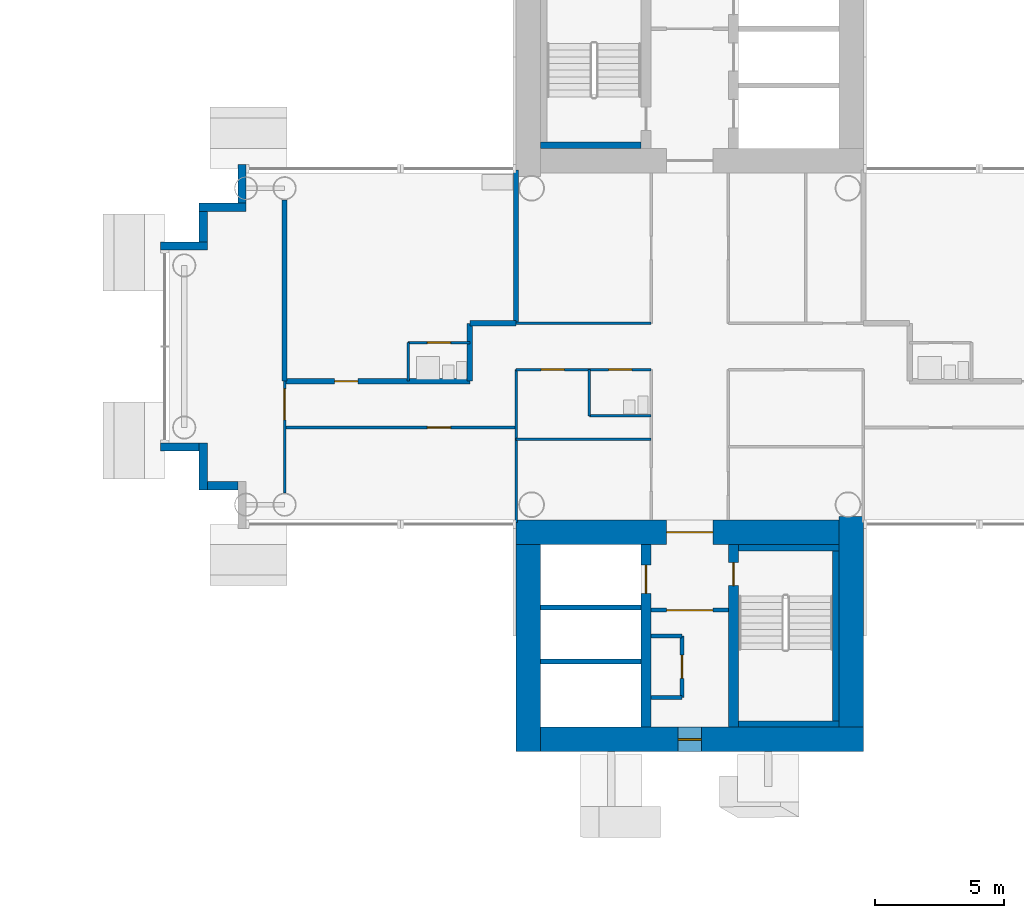
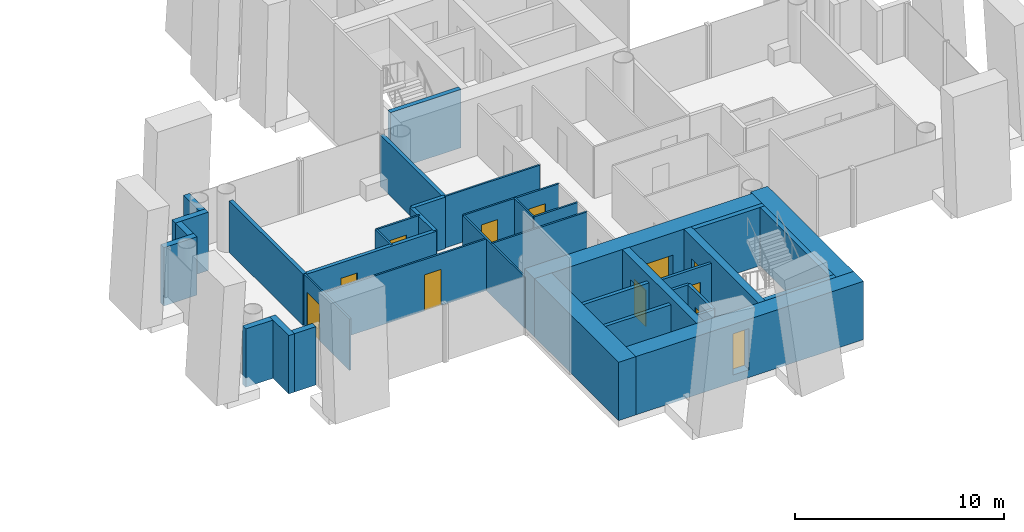
# One storey, part 11 of 21: 38 walls, 11 doors, 1 window, 12 openings.
"""IFC4 building model written with IfcOpenShell, lengths in metres."""

import ifcopenshell
import ifcopenshell.guid

model = None  # the IFC model being written
_history = None  # IfcOwnerHistory: only IFC2X3 demands one
_inside = {}  # id of a spatial element -> (the spatial element, [elements in it])
_under = {}  # id of a project, library or spatial element -> (it, [spatial elements below it])
_declared = {}  # id of a project -> (the project, [libraries it declares])
_typed = {}  # id of a type object -> (the type object, [elements of that type])
_made_of = {}  # id of a material, layer set ... -> (it, [elements and type objects made of it])


def new_model(schema):
    """Start an empty IFC model of exactly this schema.

    Asked for "IFC4X3", IfcOpenShell would pick the latest addendum, in which some entities
    have other attributes; the version numbers below select the first issue.
    IFC2X3 requires an IfcOwnerHistory on every rooted entity: one is made here for all.
    """
    global model, _history
    if schema == "IFC4X3":
        model = ifcopenshell.file(schema_version=(4, 3, 0, 0))
    else:
        model = ifcopenshell.file(schema=schema)
    _inside.clear()
    _under.clear()
    _declared.clear()
    _typed.clear()
    _made_of.clear()
    _history = None
    if model.schema == "IFC2X3":
        org = make("IfcOrganization", Name="unknown")
        user = make(
            "IfcPersonAndOrganization",
            ThePerson=make("IfcPerson", FamilyName="unknown"),
            TheOrganization=org,
        )
        app = make(
            "IfcApplication",
            ApplicationDeveloper=org,
            Version="unknown",
            ApplicationFullName="unknown",
            ApplicationIdentifier="unknown",
        )
        _history = make(
            "IfcOwnerHistory",
            OwningUser=user,
            OwningApplication=app,
            ChangeAction="ADDED",
            CreationDate=0,
        )
    return model


def make(cls, **values):
    """One entity of the class cls with the attributes given. An attribute that is None is left unset."""
    return model.create_entity(
        cls, **{name: value for name, value in values.items() if value is not None}
    )


def rooted(cls, **values):
    """An entity with a GlobalId (a new one), such as an element, a storey or a relation."""
    return make(cls, GlobalId=ifcopenshell.guid.new(), OwnerHistory=_history, **values)


def si_unit(unit_type, name, prefix=None):
    """IfcSIUnit, for example si_unit("LENGTHUNIT", "METRE", prefix="MILLI")."""
    return make("IfcSIUnit", UnitType=unit_type, Prefix=prefix, Name=name)


def assignment(units):
    """IfcUnitAssignment: the units of a project."""
    return None if units is None else make("IfcUnitAssignment", Units=units)


def point(xyz):
    """IfcCartesianPoint."""
    return None if xyz is None else make("IfcCartesianPoint", Coordinates=xyz)


def direction(xyz):
    """IfcDirection."""
    return None if xyz is None else make("IfcDirection", DirectionRatios=xyz)


def frame(location, z_axis=None, x_axis=None):
    """IfcAxis2Placement3D, a coordinate frame: its origin and axes. An axis left out is left unset."""
    return make(
        "IfcAxis2Placement3D",
        Location=point(location),
        Axis=direction(z_axis),
        RefDirection=direction(x_axis),
    )


def frame_2d(location, x_axis=None):
    """IfcAxis2Placement2D, a coordinate frame in the plane: its origin and x axis."""
    return make(
        "IfcAxis2Placement2D", Location=point(location), RefDirection=direction(x_axis)
    )


def origin():
    """The frame at (0, 0, 0) with its axes left unset."""
    return frame((0.0, 0.0, 0.0))


def place(relative_to, where):
    """IfcLocalPlacement: puts the frame where relative to a parent placement (None: the world)."""
    return make(
        "IfcLocalPlacement", PlacementRelTo=relative_to, RelativePlacement=where
    )


def context(
    kind, dimensions, precision=None, world=None, true_north=None, identifier=None
):
    """IfcGeometricRepresentationContext, for example the 3D "Model" context."""
    return make(
        "IfcGeometricRepresentationContext",
        ContextIdentifier=identifier,
        ContextType=kind,
        CoordinateSpaceDimension=dimensions,
        Precision=precision,
        WorldCoordinateSystem=world,
        TrueNorth=true_north,
    )


def subcontext(parent, identifier, kind, view, scale=None):
    """IfcGeometricRepresentationSubContext, for example "Body" below "Model"."""
    return make(
        "IfcGeometricRepresentationSubContext",
        ContextIdentifier=identifier,
        ContextType=kind,
        ParentContext=parent,
        TargetScale=scale,
        TargetView=view,
    )


def project(units=None, contexts=None):
    """IfcProject with its units and contexts."""
    return rooted(
        "IfcProject",
        Name="project",
        RepresentationContexts=contexts,
        UnitsInContext=assignment(units),
    )


def spatial(cls, under=None, at=None, **own):
    """A site, building, storey or space (cls), placed at a placement, below another one or the project."""
    s = rooted(cls, ObjectPlacement=at, **own)
    if under is not None:
        _under.setdefault(under.id(), (under, []))[1].append(s)
    return s


def profile(cls, at=None, kind="AREA", **sizes):
    """A parametric profile (cls). Its sizes go by their IFC names, for example OverallWidth=200.0."""
    return make(cls, ProfileType=kind, Position=at, **sizes)


def rectangle(**sizes):
    """IfcRectangleProfileDef."""
    return profile("IfcRectangleProfileDef", **sizes)


def extrude(swept, where, along, depth):
    """IfcExtrudedAreaSolid: the profile swept, set in the frame where, extruded along a direction by depth."""
    return make(
        "IfcExtrudedAreaSolid",
        SweptArea=swept,
        Position=where,
        ExtrudedDirection=direction(along),
        Depth=depth,
    )


def shape(context_of_items, identifier, shape_type, items):
    """IfcShapeRepresentation: the items that make up one representation, for example the "Body"."""
    return make(
        "IfcShapeRepresentation",
        ContextOfItems=context_of_items,
        RepresentationIdentifier=identifier,
        RepresentationType=shape_type,
        Items=items,
    )


def material(Name=None, Category=None):
    """IfcMaterial."""
    return make("IfcMaterial", Name=Name, Category=Category)


def layer(
    of_material, thickness, ventilated=None, Name=None, Category=None, Priority=None
):
    """IfcMaterialLayer: one layer of a wall or slab, of a material (None: an air gap)."""
    return make(
        "IfcMaterialLayer",
        Material=of_material,
        LayerThickness=thickness,
        IsVentilated=ventilated,
        Name=Name,
        Category=Category,
        Priority=Priority,
    )


def layer_set(layers, Name=None):
    """IfcMaterialLayerSet."""
    return make("IfcMaterialLayerSet", MaterialLayers=layers, LayerSetName=Name)


def made_of(thing, what):
    """Note that an element or type object is made of a material, layer set ...; save() writes the relation."""
    if what is not None:
        _made_of.setdefault(what.id(), (what, []))[1].append(thing)
    return thing


def type_object(cls, material=None, **own):
    """A type object (cls), such as IfcWallType, which elements share."""
    return made_of(rooted(cls, **own), material)


def element(
    cls,
    number,
    at=None,
    inside=None,
    cuts=None,
    type_object=None,
    material=None,
    context=None,
    identifier="Body",
    shape_type=None,
    held_by="IfcProductDefinitionShape",
    body=None,
    shapes=None,
    **own,
):
    """One element of the class cls, such as IfcWall. Its Tag is "e" and its number.

    at: its placement. inside: the storey or other place that contains it. cuts: it is an
    opening in that element (IfcRelVoidsElement). A single representation is given by context,
    identifier, shape_type and body (its items); several are given by shapes. held_by: the class
    of the entity that holds the representations. save() writes the other relations.
    """
    e = rooted(cls, Tag="e%d" % number, ObjectPlacement=at, **own)
    if body is not None:
        shapes = [shape(context, identifier, shape_type, body)]
    if shapes is not None:
        e.Representation = make(held_by, Representations=shapes)
    if inside is not None:
        _inside.setdefault(inside.id(), (inside, []))[1].append(e)
    if cuts is not None:
        rooted(
            "IfcRelVoidsElement", RelatingBuildingElement=cuts, RelatedOpeningElement=e
        )
    if type_object is not None:
        _typed.setdefault(type_object.id(), (type_object, []))[1].append(e)
    return made_of(e, material)


def fill(opening, filler):
    """IfcRelFillsElement: the door or window that sits in an opening."""
    return rooted(
        "IfcRelFillsElement",
        RelatingOpeningElement=opening,
        RelatedBuildingElement=filler,
    )


def aggregate(whole, parts):
    """IfcRelAggregates: a whole, such as a stair, and the parts it consists of."""
    return rooted("IfcRelAggregates", RelatingObject=whole, RelatedObjects=parts)


def save(model, path):
    """Write the relations noted so far, then the file.

    IfcRelAggregates (storeys below a building ...), IfcRelContainedInSpatialStructure (elements
    in a storey), IfcRelDefinesByType, IfcRelAssociatesMaterial and IfcRelDeclares: one each for
    every whole, place, type object, material and project.
    """
    for whole, parts in _under.values():
        aggregate(whole, parts)
    for where, things in _inside.values():
        rooted(
            "IfcRelContainedInSpatialStructure",
            RelatedElements=things,
            RelatingStructure=where,
        )
    for kind, things in _typed.values():
        rooted("IfcRelDefinesByType", RelatedObjects=things, RelatingType=kind)
    for what, things in _made_of.values():
        rooted("IfcRelAssociatesMaterial", RelatedObjects=things, RelatingMaterial=what)
    for by, libraries in _declared.values():
        rooted("IfcRelDeclares", RelatingContext=by, RelatedDefinitions=libraries)
    model.write(path)


model = new_model("IFC4")

# Units and contexts
model_context = context("Model", 3, precision=1e-05, world=origin(), true_north=direction((0.0, 1.0)))
body_context = subcontext(model_context, "Body", "Model", "MODEL_VIEW")
ifc_project = project(units=[si_unit("LENGTHUNIT", "METRE"), si_unit("AREAUNIT", "SQUARE_METRE"), si_unit("VOLUMEUNIT", "CUBIC_METRE"), si_unit("PLANEANGLEUNIT", "RADIAN"), si_unit("MASSUNIT", "GRAM", prefix="KILO")], contexts=[model_context])

# Site, building, storey
site_placement = place(None, origin())
site = spatial("IfcSite", under=ifc_project, at=site_placement, CompositionType="ELEMENT")
building_placement = place(site_placement, origin())
building = spatial("IfcBuilding", under=site, at=building_placement, Name="Ipe Terrace Towers", CompositionType="ELEMENT")
storey_placement = place(building_placement, frame((0.0, 0.0, 80.0)))
storey = spatial("IfcBuildingStorey", under=building, at=storey_placement, Name="L21", CompositionType="ELEMENT", Elevation=80.0)

# Walls
ifc_material_1 = material(Name="Concrete C40/50 with buff precast cladding", Category="concrete")
ifc_layer_1 = layer(ifc_material_1, 0.320068359375)
ifc_layer_set_1 = layer_set([ifc_layer_1], Name="BUFF CLADDING WALL 320")
wall_type_1 = type_object("IfcWallType", Name="BUFF CLADDING WALL 320", PredefinedType="STANDARD", material=ifc_layer_set_1)
wall_1_placement = place(storey_placement, frame((18.590087890625, 7.070068359375, -0.300048828125), z_axis=(0.0, 0.0, 1.0), x_axis=(0.0, -1.0, 0.0)))
element("IfcWall", 1, at=wall_1_placement, inside=storey, type_object=wall_type_1, Name="T2-W-L21-30a wall", PredefinedType="STANDARD", context=body_context, shape_type="SweptSolid", body=[
    extrude(rectangle(XDim=1.5, YDim=0.320068359375, at=frame_2d((0.75, 0.0))), origin(), (0.0, 0.0, 1.0), 3.400146484375),
])
wall_2_placement = place(storey_placement, frame((18.75, 5.409912109375, -0.300048828125), z_axis=(0.0, 0.0, 1.0), x_axis=(-1.0, 0.0, 0.0)))
element("IfcWall", 2, at=wall_2_placement, inside=storey, type_object=wall_type_1, Name="T2-W-L21-31a wall", PredefinedType="STANDARD", context=body_context, shape_type="SweptSolid", body=[
    extrude(rectangle(XDim=1.820068359375, YDim=0.320068359375, at=frame_2d((0.91015625, 0.0))), origin(), (0.0, 0.0, 1.0), 3.400146484375),
])
wall_3_placement = place(storey_placement, frame((17.090087890625, 5.25, -0.300048828125), z_axis=(0.0, 0.0, 1.0), x_axis=(0.0, -1.0, 0.0)))
element("IfcWall", 3, at=wall_3_placement, inside=storey, type_object=wall_type_1, Name="T2-W-L21-32a wall", PredefinedType="STANDARD", context=body_context, shape_type="SweptSolid", body=[
    extrude(rectangle(XDim=1.179931640625, YDim=0.320068359375, at=frame_2d((0.58984375, 0.0))), origin(), (0.0, 0.0, 1.0), 3.400146484375),
])
wall_4_placement = place(storey_placement, frame((17.25, 3.909912109375, -0.300048828125), z_axis=(0.0, 0.0, 1.0), x_axis=(-1.0, 0.0, 0.0)))
element("IfcWall", 4, at=wall_4_placement, inside=storey, type_object=wall_type_1, Name="T2-W-L21-33a wall", PredefinedType="STANDARD", context=body_context, shape_type="SweptSolid", body=[
    extrude(rectangle(XDim=1.820068359375, YDim=0.320068359375, at=frame_2d((0.91015625, 0.0))), origin(), (0.0, 0.0, 1.0), 3.400146484375),
])
wall_5_placement = place(storey_placement, frame((15.429931640625, -3.909912109375, -0.300048828125), z_axis=(0.0, 0.0, 1.0), x_axis=(1.0, 0.0, 0.0)))
element("IfcWall", 5, at=wall_5_placement, inside=storey, type_object=wall_type_1, Name="T2-W-L21-35a wall", PredefinedType="STANDARD", context=body_context, shape_type="SweptSolid", body=[
    extrude(rectangle(XDim=1.5, YDim=0.320068359375, at=frame_2d((0.75, 0.0))), origin(), (0.0, 0.0, 1.0), 3.400146484375),
])
wall_6_placement = place(storey_placement, frame((17.090087890625, -3.75, -0.300048828125), z_axis=(0.0, 0.0, 1.0), x_axis=(0.0, -1.0, 0.0)))
element("IfcWall", 6, at=wall_6_placement, inside=storey, type_object=wall_type_1, Name="T2-W-L21-36a wall", PredefinedType="STANDARD", context=body_context, shape_type="SweptSolid", body=[
    extrude(rectangle(XDim=1.820068359375, YDim=0.320068359375, at=frame_2d((0.91015625, 0.0))), origin(), (0.0, 0.0, 1.0), 3.400146484375),
])
wall_7_placement = place(storey_placement, frame((17.25, -5.409912109375, -0.300048828125), z_axis=(0.0, 0.0, 1.0), x_axis=(1.0, 0.0, 0.0)))
element("IfcWall", 7, at=wall_7_placement, inside=storey, type_object=wall_type_1, Name="T2-W-L21-37a wall", PredefinedType="STANDARD", context=body_context, shape_type="SweptSolid", body=[
    extrude(rectangle(XDim=1.179931640625, YDim=0.320068359375, at=frame_2d((0.58984375, 0.0))), origin(), (0.0, 0.0, 1.0), 3.400146484375),
])
ifc_material_2 = material(Name="Gypsum board partition", Category="plasterboard")
ifc_layer_2 = layer(ifc_material_2, 0.10009765625)
ifc_layer_set_2 = layer_set([ifc_layer_2], Name="Gypsum board partition 100 mm")
wall_type_2 = type_object("IfcWallType", Name="Gypsum board partition 100 mm", PredefinedType="PARTITIONING", material=ifc_layer_set_2)
wall_8_placement = place(storey_placement, frame((34.5, -3.60009765625, 0.0), z_axis=(0.0, 0.0, 1.0), x_axis=(-1.0, 0.0, 0.0)))
element("IfcWall", 8, at=wall_8_placement, inside=storey, type_object=wall_type_2, Name="Gypsum board partition T2 L21 W02", PredefinedType="PARTITIONING", context=body_context, shape_type="SweptSolid", body=[
    extrude(rectangle(XDim=5.25, YDim=0.10009765625, at=frame_2d((2.625, 0.0))), origin(), (0.0, 0.0, 1.0), 3.0),
])

# Wall, opening, door
wall_9_placement = place(storey_placement, frame((29.25, -3.14990234375, 0.0), z_axis=(0.0, 0.0, 1.0), x_axis=(-1.0, 0.0, 0.0)))
wall_9 = element("IfcWall", 9, at=wall_9_placement, inside=storey, type_object=wall_type_2, Name="Gypsum board partition T2 L21 W04", PredefinedType="PARTITIONING", context=body_context, shape_type="SweptSolid", body=[
    extrude(rectangle(XDim=9.0, YDim=0.10009765625, at=frame_2d((4.5, 0.0))), origin(), (0.0, 0.0, 1.0), 3.0),
])
opening_1_placement = place(wall_9_placement, frame((2.550048828125, 0.0, 0.0)))
opening_1 = element("IfcOpeningElement", 10, at=opening_1_placement, cuts=wall_9, Name="Opening T2-Z2B-09", PredefinedType="OPENING", context=body_context, shape_type="SweptSolid", body=[
    extrude(rectangle(XDim=0.89990234375, YDim=2.10009765625, at=frame_2d((0.449951171875, 1.050048828125))), frame((0.0, 0.06005859375, 0.0), z_axis=(0.0, -1.0, 0.0), x_axis=(1.0, 0.0, 0.0)), (0.0, 0.0, 1.0), 0.1201171875),
])
ifc_material_3 = material(Name="Timber door leaf", Category="wood")
door_type_1 = type_object("IfcDoorType", Name="Lounge door 900 x 2100", OperationType="NOTDEFINED", PredefinedType="DOOR", material=ifc_material_3)
door_1_placement = place(opening_1_placement, origin())
door_1 = element("IfcDoor", 11, at=door_1_placement, inside=storey, type_object=door_type_1, Name="Lounge door T2-Z2B-09", OperationType="SINGLE_SWING_RIGHT", OverallHeight=2.10009765625, OverallWidth=0.89990234375, PredefinedType="DOOR", context=body_context, shape_type="SweptSolid", body=[
    extrude(rectangle(XDim=0.89990234375, YDim=2.10009765625, at=frame_2d((0.449951171875, 1.050048828125))), frame((0.0, 0.02490234375, 0.0), z_axis=(0.0, -1.0, 0.0), x_axis=(1.0, 0.0, 0.0)), (0.0, 0.0, 1.0), 0.050048828125),
])
fill(opening_1, door_1)

# Wall
wall_10_placement = place(storey_placement, frame((34.5, -2.699951171875, 0.0), z_axis=(0.0, 0.0, 1.0), x_axis=(-1.0, 0.0, 0.0)))
element("IfcWall", 12, at=wall_10_placement, inside=storey, type_object=wall_type_2, Name="Gypsum board partition T2 L21 W05", PredefinedType="PARTITIONING", context=body_context, shape_type="SweptSolid", body=[
    extrude(rectangle(XDim=2.39990234375, YDim=0.10009765625, at=frame_2d((1.199951171875, 0.0))), origin(), (0.0, 0.0, 1.0), 3.0),
])

# Wall, openings, doors
wall_11_placement = place(storey_placement, frame((34.5, -0.89990234375, 0.0), z_axis=(0.0, 0.0, 1.0), x_axis=(-1.0, 0.0, 0.0)))
wall_11 = element("IfcWall", 13, at=wall_11_placement, inside=storey, type_object=wall_type_2, Name="Gypsum board partition T2 L21 W09", PredefinedType="PARTITIONING", context=body_context, shape_type="SweptSolid", body=[
    extrude(rectangle(XDim=5.25, YDim=0.10009765625, at=frame_2d((2.625, 0.0))), origin(), (0.0, 0.0, 1.0), 3.0),
])
opening_2_placement = place(wall_11_placement, frame((0.75, 0.0, 0.0)))
opening_2 = element("IfcOpeningElement", 14, at=opening_2_placement, cuts=wall_11, Name="Opening T2-Z2B-01", PredefinedType="OPENING", context=body_context, shape_type="SweptSolid", body=[
    extrude(rectangle(XDim=0.89990234375, YDim=2.10009765625, at=frame_2d((0.449951171875, 1.050048828125))), frame((0.0, 0.06005859375, 0.0), z_axis=(0.0, -1.0, 0.0), x_axis=(1.0, 0.0, 0.0)), (0.0, 0.0, 1.0), 0.1201171875),
])
opening_3_placement = place(wall_11_placement, frame((3.375, 0.0, 0.0)))
opening_3 = element("IfcOpeningElement", 15, at=opening_3_placement, cuts=wall_11, Name="Opening T2-Z2B-03", PredefinedType="OPENING", context=body_context, shape_type="SweptSolid", body=[
    extrude(rectangle(XDim=0.89990234375, YDim=2.10009765625, at=frame_2d((0.449951171875, 1.050048828125))), frame((0.0, 0.06005859375, 0.0), z_axis=(0.0, -1.0, 0.0), x_axis=(1.0, 0.0, 0.0)), (0.0, 0.0, 1.0), 0.1201171875),
])
ifc_material_4 = material(Name="Timber door leaf", Category="wood")
door_type_2 = type_object("IfcDoorType", Name="Bathroom door 900 x 2100", OperationType="NOTDEFINED", PredefinedType="DOOR", material=ifc_material_4)
door_2_placement = place(opening_2_placement, origin())
door_2 = element("IfcDoor", 16, at=door_2_placement, inside=storey, type_object=door_type_2, Name="Bathroom door T2-Z2B-01", OperationType="SINGLE_SWING_RIGHT", OverallHeight=2.10009765625, OverallWidth=0.89990234375, PredefinedType="DOOR", context=body_context, shape_type="SweptSolid", body=[
    extrude(rectangle(XDim=0.89990234375, YDim=2.10009765625, at=frame_2d((0.449951171875, 1.050048828125))), frame((0.0, 0.02490234375, 0.0), z_axis=(0.0, -1.0, 0.0), x_axis=(1.0, 0.0, 0.0)), (0.0, 0.0, 1.0), 0.050048828125),
])
fill(opening_2, door_2)
door_3_placement = place(opening_3_placement, origin())
door_3 = element("IfcDoor", 17, at=door_3_placement, inside=storey, type_object=door_type_1, Name="Lounge door T2-Z2B-03", OperationType="SINGLE_SWING_LEFT", OverallHeight=2.10009765625, OverallWidth=0.89990234375, PredefinedType="DOOR", context=body_context, shape_type="SweptSolid", body=[
    extrude(rectangle(XDim=0.89990234375, YDim=2.10009765625, at=frame_2d((0.449951171875, 1.050048828125))), frame((0.0, 0.02490234375, 0.0), z_axis=(0.0, -1.0, 0.0), x_axis=(1.0, 0.0, 0.0)), (0.0, 0.0, 1.0), 0.050048828125),
])
fill(opening_3, door_3)

# Wall, opening, door
wall_12_placement = place(storey_placement, frame((27.449951171875, 0.14990234375, 0.0), z_axis=(0.0, 0.0, 1.0), x_axis=(-1.0, 0.0, 0.0)))
wall_12 = element("IfcWall", 18, at=wall_12_placement, inside=storey, type_object=wall_type_2, Name="Gypsum board partition T2 L21 W11", PredefinedType="PARTITIONING", context=body_context, shape_type="SweptSolid", body=[
    extrude(rectangle(XDim=2.39990234375, YDim=0.10009765625, at=frame_2d((1.199951171875, 0.0))), origin(), (0.0, 0.0, 1.0), 3.0),
])
opening_4_placement = place(wall_12_placement, frame((0.75, 0.0, 0.0)))
opening_4 = element("IfcOpeningElement", 19, at=opening_4_placement, cuts=wall_12, Name="Opening T2-Z2B-11", PredefinedType="OPENING", context=body_context, shape_type="SweptSolid", body=[
    extrude(rectangle(XDim=0.89990234375, YDim=2.10009765625, at=frame_2d((0.449951171875, 1.050048828125))), frame((0.0, 0.06005859375, 0.0), z_axis=(0.0, -1.0, 0.0), x_axis=(1.0, 0.0, 0.0)), (0.0, 0.0, 1.0), 0.1201171875),
])
door_4_placement = place(opening_4_placement, origin())
door_4 = element("IfcDoor", 20, at=door_4_placement, inside=storey, type_object=door_type_2, Name="Bathroom door T2-Z2B-11", OperationType="SINGLE_SWING_LEFT", OverallHeight=2.10009765625, OverallWidth=0.89990234375, PredefinedType="DOOR", context=body_context, shape_type="SweptSolid", body=[
    extrude(rectangle(XDim=0.89990234375, YDim=2.10009765625, at=frame_2d((0.449951171875, 1.050048828125))), frame((0.0, 0.02490234375, 0.0), z_axis=(0.0, -1.0, 0.0), x_axis=(1.0, 0.0, 0.0)), (0.0, 0.0, 1.0), 0.050048828125),
])
fill(opening_4, door_4)

# Walls
wall_13_placement = place(storey_placement, frame((34.5, 0.89990234375, 0.0), z_axis=(0.0, 0.0, 1.0), x_axis=(-1.0, 0.0, 0.0)))
element("IfcWall", 21, at=wall_13_placement, inside=storey, type_object=wall_type_2, Name="Gypsum board partition T2 L21 W13", PredefinedType="PARTITIONING", context=body_context, shape_type="SweptSolid", body=[
    extrude(rectangle(XDim=5.25, YDim=0.10009765625, at=frame_2d((2.625, 0.0))), origin(), (0.0, 0.0, 1.0), 3.0),
])
wall_14_placement = place(storey_placement, frame((32.10009765625, -2.699951171875, 0.0), z_axis=(0.0, 0.0, 1.0), x_axis=(0.0, 1.0, 0.0)))
element("IfcWall", 22, at=wall_14_placement, inside=storey, type_object=wall_type_2, Name="Gypsum board partition T2 L21 W36", PredefinedType="PARTITIONING", context=body_context, shape_type="SweptSolid", body=[
    extrude(rectangle(XDim=1.800048828125, YDim=0.10009765625, at=frame_2d((0.89990234375, 0.0))), origin(), (0.0, 0.0, 1.0), 3.0),
])
wall_15_placement = place(storey_placement, frame((29.25, -6.85009765625, 0.0), z_axis=(0.0, 0.0, 1.0), x_axis=(0.0, 1.0, 0.0)))
element("IfcWall", 23, at=wall_15_placement, inside=storey, type_object=wall_type_2, Name="Gypsum board partition T2 L21 W37", PredefinedType="PARTITIONING", context=body_context, shape_type="SweptSolid", body=[
    extrude(rectangle(XDim=5.9501953125, YDim=0.10009765625, at=frame_2d((2.97509765625, 0.0))), origin(), (0.0, 0.0, 1.0), 3.0),
])
wall_16_placement = place(storey_placement, frame((25.050048828125, -1.35009765625, 0.0), z_axis=(0.0, 0.0, 1.0), x_axis=(0.0, 1.0, 0.0)))
element("IfcWall", 24, at=wall_16_placement, inside=storey, type_object=wall_type_2, Name="Gypsum board partition T2 L21 W40", PredefinedType="PARTITIONING", context=body_context, shape_type="SweptSolid", body=[
    extrude(rectangle(XDim=1.5, YDim=0.10009765625, at=frame_2d((0.75, 0.0))), origin(), (0.0, 0.0, 1.0), 3.0),
])

# Wall, opening, door
wall_17_placement = place(storey_placement, frame((20.25, -5.699951171875, 0.0), z_axis=(0.0, 0.0, 1.0), x_axis=(0.0, 1.0, 0.0)))
wall_17 = element("IfcWall", 25, at=wall_17_placement, inside=storey, type_object=wall_type_2, Name="Gypsum board partition T2 L21 W41", PredefinedType="PARTITIONING", context=body_context, shape_type="SweptSolid", body=[
    extrude(rectangle(XDim=4.349853515625, YDim=0.10009765625, at=frame_2d((2.1748046875, 0.0))), origin(), (0.0, 0.0, 1.0), 3.0),
])
opening_5_placement = place(wall_17_placement, frame((2.85009765625, 0.0, 0.0)))
opening_5 = element("IfcOpeningElement", 26, at=opening_5_placement, cuts=wall_17, Name="Opening T2-Z2B-12", PredefinedType="OPENING", context=body_context, shape_type="SweptSolid", body=[
    extrude(rectangle(XDim=1.199951171875, YDim=2.10009765625, at=frame_2d((0.60009765625, 1.050048828125))), frame((0.0, 0.06005859375, 0.0), z_axis=(0.0, -1.0, 0.0), x_axis=(1.0, 0.0, 0.0)), (0.0, 0.0, 1.0), 0.1201171875),
])
ifc_material_5 = material(Name="Timber door leaf", Category="wood")
door_type_3 = type_object("IfcDoorType", Name="Lounge door 1200 x 2100", OperationType="NOTDEFINED", PredefinedType="DOOR", material=ifc_material_5)
door_5_placement = place(opening_5_placement, origin())
door_5 = element("IfcDoor", 27, at=door_5_placement, inside=storey, type_object=door_type_3, Name="Lounge door T2-Z2B-12", OperationType="SINGLE_SWING_LEFT", OverallHeight=2.10009765625, OverallWidth=1.199951171875, PredefinedType="DOOR", context=body_context, shape_type="SweptSolid", body=[
    extrude(rectangle(XDim=1.199951171875, YDim=2.10009765625, at=frame_2d((0.60009765625, 1.050048828125))), frame((0.0, 0.02490234375, 0.0), z_axis=(0.0, -1.0, 0.0), x_axis=(1.0, 0.0, 0.0)), (0.0, 0.0, 1.0), 0.050048828125),
])
fill(opening_5, door_5)

ifc_material_6 = material(Name="Gypsum board partition", Category="plasterboard")
ifc_layer_3 = layer(ifc_material_6, 0.14990234375)
ifc_layer_set_3 = layer_set([ifc_layer_3], Name="Gypsum board partition 150 mm")
wall_type_3 = type_object("IfcWallType", Name="Gypsum board partition 150 mm", PredefinedType="PARTITIONING", material=ifc_layer_set_3)
wall_18_placement = place(storey_placement, frame((34.5, -10.25, 0.0), z_axis=(0.0, 0.0, 1.0), x_axis=(1.0, 0.0, 0.0)))
wall_18 = element("IfcWall", 28, at=wall_18_placement, inside=storey, type_object=wall_type_3, Name="Gypsum board partition T2 L21 t2c2-lobby-wall", PredefinedType="PARTITIONING", context=body_context, shape_type="SweptSolid", body=[
    extrude(rectangle(XDim=3.0, YDim=0.14990234375, at=frame_2d((1.5, 0.0))), origin(), (0.0, 0.0, 1.0), 3.0),
])
opening_6_placement = place(wall_18_placement, frame((0.60009765625, 0.0, 0.0)))
opening_6 = element("IfcOpeningElement", 29, at=opening_6_placement, cuts=wall_18, Name="Opening T2C2-VD", PredefinedType="OPENING", context=body_context, shape_type="SweptSolid", body=[
    extrude(rectangle(XDim=1.800048828125, YDim=2.10009765625, at=frame_2d((0.89990234375, 1.050048828125))), frame((0.0, 0.0849609375, 0.0), z_axis=(0.0, -1.0, 0.0), x_axis=(1.0, 0.0, 0.0)), (0.0, 0.0, 1.0), 0.169921875),
])
ifc_material_7 = material(Name="Fire-rated timber door leaf", Category="wood")
door_type_4 = type_object("IfcDoorType", Name="Lobby door 1800 x 2100 FD60", OperationType="NOTDEFINED", PredefinedType="DOOR", material=ifc_material_7)
door_6_placement = place(opening_6_placement, origin())
door_6 = element("IfcDoor", 30, at=door_6_placement, inside=storey, type_object=door_type_4, Name="Lobby door T2C2-VD", OperationType="SINGLE_SWING_LEFT", OverallHeight=2.10009765625, OverallWidth=1.800048828125, PredefinedType="DOOR", context=body_context, shape_type="SweptSolid", body=[
    extrude(rectangle(XDim=1.800048828125, YDim=2.10009765625, at=frame_2d((0.89990234375, 1.050048828125))), frame((0.0, 0.02490234375, 0.0), z_axis=(0.0, -1.0, 0.0), x_axis=(1.0, 0.0, 0.0)), (0.0, 0.0, 1.0), 0.050048828125),
])
fill(opening_6, door_6)

wall_19_placement = place(storey_placement, frame((35.699951171875, -11.25, 0.0), z_axis=(0.0, 0.0, 1.0), x_axis=(0.0, -1.0, 0.0)))
wall_19 = element("IfcWall", 31, at=wall_19_placement, inside=storey, type_object=wall_type_3, Name="Gypsum board partition T2 L21 t2c2-cup-s-f", PredefinedType="PARTITIONING", context=body_context, shape_type="SweptSolid", body=[
    extrude(rectangle(XDim=2.39990234375, YDim=0.14990234375, at=frame_2d((1.199951171875, 0.0))), origin(), (0.0, 0.0, 1.0), 3.0),
])
opening_7_placement = place(wall_19_placement, frame((0.75, 0.0, 0.0)))
opening_7 = element("IfcOpeningElement", 32, at=opening_7_placement, cuts=wall_19, Name="Opening T2C2-SC", PredefinedType="OPENING", context=body_context, shape_type="SweptSolid", body=[
    extrude(rectangle(XDim=0.89990234375, YDim=2.10009765625, at=frame_2d((0.449951171875, 1.050048828125))), frame((0.0, 0.0849609375, 0.0), z_axis=(0.0, -1.0, 0.0), x_axis=(1.0, 0.0, 0.0)), (0.0, 0.0, 1.0), 0.169921875),
])
ifc_material_8 = material(Name="Fire-rated timber door leaf", Category="wood")
door_type_5 = type_object("IfcDoorType", Name="Service door 900 x 2100 FD30S", OperationType="NOTDEFINED", PredefinedType="DOOR", material=ifc_material_8)
door_7_placement = place(opening_7_placement, origin())
door_7 = element("IfcDoor", 33, at=door_7_placement, inside=storey, type_object=door_type_5, Name="Service door T2C2-SC", OperationType="SINGLE_SWING_LEFT", OverallHeight=2.10009765625, OverallWidth=0.89990234375, PredefinedType="DOOR", context=body_context, shape_type="SweptSolid", body=[
    extrude(rectangle(XDim=0.89990234375, YDim=2.10009765625, at=frame_2d((0.449951171875, 1.050048828125))), frame((0.0, 0.02490234375, 0.0), z_axis=(0.0, -1.0, 0.0), x_axis=(1.0, 0.0, 0.0)), (0.0, 0.0, 1.0), 0.050048828125),
])
fill(opening_7, door_7)

# Walls
for number, where, z_axis, x_axis, name in (
    (34, (35.699951171875, -11.25, 0.0), (0.0, 0.0, 1.0), (-1.0, 0.0, 0.0), "Gypsum board partition T2 L21 t2c2-cup-s-a"),
    (35, (35.699951171875, -13.64990234375, 0.0), (0.0, 0.0, 1.0), (-1.0, 0.0, 0.0), "Gypsum board partition T2 L21 t2c2-cup-s-b"),
):
    element("IfcWall", number, at=place(storey_placement, frame(where, z_axis=z_axis, x_axis=x_axis)), inside=storey, type_object=wall_type_3, Name=name, PredefinedType="PARTITIONING", context=body_context, shape_type="SweptSolid", body=[
        extrude(rectangle(XDim=1.199951171875, YDim=0.14990234375, at=frame_2d((0.60009765625, 0.0))), origin(), (0.0, 0.0, 1.0), 3.0),
    ])
ifc_material_9 = material(Name="Gypsum board party wall", Category="plasterboard")
ifc_layer_4 = layer(ifc_material_9, 0.199951171875)
ifc_layer_set_4 = layer_set([ifc_layer_4], Name="Gypsum board party wall 200 mm")
wall_type_4 = type_object("IfcWallType", Name="Gypsum board party wall 200 mm", PredefinedType="SOLIDWALL", material=ifc_layer_set_4)
for number, where, z_axis, x_axis, name in (
    (36, (30.199951171875, -10.14990234375, 0.0), (0.0, 0.0, 1.0), (1.0, 0.0, 0.0), "Gypsum board party wall T2 L21 t2c2-shaft-div1"),
    (37, (30.199951171875, -12.25, 0.0), (0.0, 0.0, 1.0), (1.0, 0.0, 0.0), "Gypsum board party wall T2 L21 t2c2-shaft-div2"),
):
    element("IfcWall", number, at=place(storey_placement, frame(where, z_axis=z_axis, x_axis=x_axis)), inside=storey, type_object=wall_type_4, Name=name, PredefinedType="SOLIDWALL", context=body_context, shape_type="SweptSolid", body=[
        extrude(rectangle(XDim=3.900146484375, YDim=0.199951171875, at=frame_2d((1.9501953125, 0.0))), origin(), (0.0, 0.0, 1.0), 3.0),
    ])

# Wall, opening, door
wall_20_placement = place(storey_placement, frame((27.449951171875, -1.35009765625, 0.0), z_axis=(0.0, 0.0, 1.0), x_axis=(-1.0, 0.0, 0.0)))
wall_20 = element("IfcWall", 38, at=wall_20_placement, inside=storey, type_object=wall_type_4, Name="Gypsum board party wall T2 L21 W07", PredefinedType="SOLIDWALL", context=body_context, shape_type="SweptSolid", body=[
    extrude(rectangle(XDim=7.199951171875, YDim=0.199951171875, at=frame_2d((3.60009765625, 0.0))), origin(), (0.0, 0.0, 1.0), 3.0),
])
opening_8_placement = place(wall_20_placement, frame((4.35009765625, 0.0, 0.0)))
opening_8 = element("IfcOpeningElement", 39, at=opening_8_placement, cuts=wall_20, Name="Opening T2-Z2B-10", PredefinedType="OPENING", context=body_context, shape_type="SweptSolid", body=[
    extrude(rectangle(XDim=0.89990234375, YDim=2.10009765625, at=frame_2d((0.449951171875, 1.050048828125))), frame((0.0, 0.10986328125, 0.0), z_axis=(0.0, -1.0, 0.0), x_axis=(1.0, 0.0, 0.0)), (0.0, 0.0, 1.0), 0.219970703125),
])
ifc_material_10 = material(Name="Fire-rated timber door leaf", Category="wood")
door_type_6 = type_object("IfcDoorType", Name="Flat entrance door 900 x 2100 FD30S", OperationType="NOTDEFINED", PredefinedType="DOOR", material=ifc_material_10)
door_8_placement = place(opening_8_placement, origin())
door_8 = element("IfcDoor", 40, at=door_8_placement, inside=storey, type_object=door_type_6, Name="Flat entrance door T2-Z2B-10", OperationType="SINGLE_SWING_RIGHT", OverallHeight=2.10009765625, OverallWidth=0.89990234375, PredefinedType="DOOR", context=body_context, shape_type="SweptSolid", body=[
    extrude(rectangle(XDim=0.89990234375, YDim=2.10009765625, at=frame_2d((0.449951171875, 1.050048828125))), frame((0.0, 0.02490234375, 0.0), z_axis=(0.0, -1.0, 0.0), x_axis=(1.0, 0.0, 0.0)), (0.0, 0.0, 1.0), 0.050048828125),
])
fill(opening_8, door_8)

# Walls
wall_21_placement = place(storey_placement, frame((29.25, 0.89990234375, 0.0), z_axis=(0.0, 0.0, 1.0), x_axis=(-1.0, 0.0, 0.0)))
element("IfcWall", 41, at=wall_21_placement, inside=storey, type_object=wall_type_4, Name="Gypsum board party wall T2 L21 W15", PredefinedType="SOLIDWALL", context=body_context, shape_type="SweptSolid", body=[
    extrude(rectangle(XDim=1.800048828125, YDim=0.199951171875, at=frame_2d((0.89990234375, 0.0))), origin(), (0.0, 0.0, 1.0), 3.0),
])
wall_22_placement = place(storey_placement, frame((29.25, 0.89990234375, 0.0), z_axis=(0.0, 0.0, 1.0), x_axis=(0.0, 1.0, 0.0)))
element("IfcWall", 42, at=wall_22_placement, inside=storey, type_object=wall_type_4, Name="Gypsum board party wall T2 L21 W38", PredefinedType="SOLIDWALL", context=body_context, shape_type="SweptSolid", body=[
    extrude(rectangle(XDim=5.9501953125, YDim=0.199951171875, at=frame_2d((2.97509765625, 0.0))), origin(), (0.0, 0.0, 1.0), 3.0),
])
wall_23_placement = place(storey_placement, frame((27.449951171875, -1.35009765625, 0.0), z_axis=(0.0, 0.0, 1.0), x_axis=(0.0, 1.0, 0.0)))
element("IfcWall", 43, at=wall_23_placement, inside=storey, type_object=wall_type_4, Name="Gypsum board party wall T2 L21 W39", PredefinedType="SOLIDWALL", context=body_context, shape_type="SweptSolid", body=[
    extrude(rectangle(XDim=2.25, YDim=0.199951171875, at=frame_2d((1.125, 0.0))), origin(), (0.0, 0.0, 1.0), 3.0),
])
wall_24_placement = place(storey_placement, frame((20.25, -1.35009765625, 0.0), z_axis=(0.0, 0.0, 1.0), x_axis=(0.0, 1.0, 0.0)))
element("IfcWall", 44, at=wall_24_placement, inside=storey, type_object=wall_type_4, Name="Gypsum board party wall T2 L21 W42", PredefinedType="SOLIDWALL", context=body_context, shape_type="SweptSolid", body=[
    extrude(rectangle(XDim=7.050048828125, YDim=0.199951171875, at=frame_2d((3.52490234375, 0.0))), origin(), (0.0, 0.0, 1.0), 3.0),
])
ifc_material_11 = material(Name="Concrete C50/60", Category="concrete")
ifc_layer_5 = layer(ifc_material_11, 0.25)
ifc_layer_set_5 = layer_set([ifc_layer_5], Name="RW250 CORE INFILL WALL 250 C50-60")
wall_type_5 = type_object("IfcWallType", Name="RW250 CORE INFILL WALL 250 C50-60", PredefinedType="SHEAR", material=ifc_layer_set_5)
for number, where, z_axis, x_axis, name in (
    (45, (34.10009765625, 7.824951171875, 0.0), (0.0, 0.0, 1.0), (-1.0, 0.0, 0.0), "Core infill wall T2-C1-near"),
    (46, (37.89990234375, -14.675048828125, 0.0), (0.0, 0.0, 1.0), (1.0, 0.0, 0.0), "Core infill wall T2-C2-far"),
):
    element("IfcWall", number, at=place(storey_placement, frame(where, z_axis=z_axis, x_axis=x_axis)), inside=storey, type_object=wall_type_5, Name=name, PredefinedType="SHEAR", context=body_context, shape_type="SweptSolid", body=[
        extrude(rectangle(XDim=3.900146484375, YDim=0.25, at=frame_2d((1.9501953125, 0.0))), origin(), (0.0, 0.0, 1.0), 3.39990234375),
    ])
wall_25_placement = place(storey_placement, frame((41.675048828125, -7.949951171875, 0.0), z_axis=(0.0, 0.0, 1.0), x_axis=(0.0, -1.0, 0.0)))
element("IfcWall", 47, at=wall_25_placement, inside=storey, type_object=wall_type_5, Name="Core infill wall T2-C2-back", PredefinedType="SHEAR", context=body_context, shape_type="SweptSolid", body=[
    extrude(rectangle(XDim=6.60009765625, YDim=0.25, at=frame_2d((3.300048828125, 0.0))), origin(), (0.0, 0.0, 1.0), 3.39990234375),
])
wall_26_placement = place(storey_placement, frame((37.89990234375, -7.824951171875, 0.0), z_axis=(0.0, 0.0, 1.0), x_axis=(1.0, 0.0, 0.0)))
element("IfcWall", 48, at=wall_26_placement, inside=storey, type_object=wall_type_5, Name="Core infill wall T2-C2-near", PredefinedType="SHEAR", context=body_context, shape_type="SweptSolid", body=[
    extrude(rectangle(XDim=3.900146484375, YDim=0.25, at=frame_2d((1.9501953125, 0.0))), origin(), (0.0, 0.0, 1.0), 3.39990234375),
])

# Wall, opening, door
ifc_material_12 = material(Name="Concrete C50/60", Category="concrete")
ifc_layer_6 = layer(ifc_material_12, 0.39990234375)
ifc_layer_set_6 = layer_set([ifc_layer_6], Name="RW400 CORE SPINE WALL 400 C50-60")
wall_type_6 = type_object("IfcWallType", Name="RW400 CORE SPINE WALL 400 C50-60", PredefinedType="SHEAR", material=ifc_layer_set_6)
wall_27_placement = place(storey_placement, frame((34.300048828125, -14.800048828125, 0.0), z_axis=(0.0, 0.0, 1.0), x_axis=(0.0, 1.0, 0.0)))
wall_27 = element("IfcWall", 49, at=wall_27_placement, inside=storey, type_object=wall_type_6, Name="Core spine wall T2-C2-Z2-SW1", PredefinedType="SHEAR", context=body_context, shape_type="SweptSolid", body=[
    extrude(rectangle(XDim=7.10009765625, YDim=0.39990234375, at=frame_2d((3.550048828125, 0.0))), origin(), (0.0, 0.0, 1.0), 3.39990234375),
])
opening_9_placement = place(wall_27_placement, frame((5.199951171875, 0.0, 0.0)))
opening_9 = element("IfcOpeningElement", 50, at=opening_9_placement, cuts=wall_27, Name="Opening T2C2-LD1", PredefinedType="OPENING", context=body_context, shape_type="SweptSolid", body=[
    extrude(rectangle(XDim=1.10009765625, YDim=2.10009765625, at=frame_2d((0.550048828125, 1.050048828125))), frame((0.0, 0.2099609375, 0.0), z_axis=(0.0, -1.0, 0.0), x_axis=(1.0, 0.0, 0.0)), (0.0, 0.0, 1.0), 0.419921875),
])
ifc_material_13 = material(Name="Fire-rated timber door leaf", Category="wood")
door_type_7 = type_object("IfcDoorType", Name="Sliding door 1100 x 2100 FD60", OperationType="SLIDING_TO_LEFT", PredefinedType="DOOR", material=ifc_material_13)
door_9_placement = place(opening_9_placement, origin())
door_9 = element("IfcDoor", 51, at=door_9_placement, inside=storey, type_object=door_type_7, Name="Sliding door T2C2-LD1", OperationType="SLIDING_TO_LEFT", OverallHeight=2.10009765625, OverallWidth=1.10009765625, PredefinedType="DOOR", context=body_context, shape_type="SweptSolid", body=[
    extrude(rectangle(XDim=1.10009765625, YDim=2.10009765625, at=frame_2d((0.550048828125, 1.050048828125))), frame((0.0, 0.02490234375, 0.0), z_axis=(0.0, -1.0, 0.0), x_axis=(1.0, 0.0, 0.0)), (0.0, 0.0, 1.0), 0.050048828125),
])
fill(opening_9, door_9)

wall_28_placement = place(storey_placement, frame((37.699951171875, -14.800048828125, 0.0), z_axis=(0.0, 0.0, 1.0), x_axis=(0.0, 1.0, 0.0)))
wall_28 = element("IfcWall", 52, at=wall_28_placement, inside=storey, type_object=wall_type_6, Name="Core spine wall T2-C2-Z2-SW2", PredefinedType="SHEAR", context=body_context, shape_type="SweptSolid", body=[
    extrude(rectangle(XDim=7.10009765625, YDim=0.39990234375, at=frame_2d((3.550048828125, 0.0))), origin(), (0.0, 0.0, 1.0), 3.39990234375),
])
opening_10_placement = place(wall_28_placement, frame((5.5, 0.0, 0.0)))
opening_10 = element("IfcOpeningElement", 53, at=opening_10_placement, cuts=wall_28, Name="Opening T2C2-SD", PredefinedType="OPENING", context=body_context, shape_type="SweptSolid", body=[
    extrude(rectangle(XDim=0.89990234375, YDim=2.10009765625, at=frame_2d((0.449951171875, 1.050048828125))), frame((0.0, 0.2099609375, 0.0), z_axis=(0.0, -1.0, 0.0), x_axis=(1.0, 0.0, 0.0)), (0.0, 0.0, 1.0), 0.419921875),
])
ifc_material_14 = material(Name="Fire-rated timber door leaf", Category="wood")
door_type_8 = type_object("IfcDoorType", Name="Stair door 900 x 2100 FD60", OperationType="NOTDEFINED", PredefinedType="DOOR", material=ifc_material_14)
door_10_placement = place(opening_10_placement, origin())
door_10 = element("IfcDoor", 54, at=door_10_placement, inside=storey, type_object=door_type_8, Name="Stair door T2C2-SD", OperationType="SINGLE_SWING_RIGHT", OverallHeight=2.10009765625, OverallWidth=0.89990234375, PredefinedType="DOOR", context=body_context, shape_type="SweptSolid", body=[
    extrude(rectangle(XDim=0.89990234375, YDim=2.10009765625, at=frame_2d((0.449951171875, 1.050048828125))), frame((0.0, 0.02490234375, 0.0), z_axis=(0.0, -1.0, 0.0), x_axis=(1.0, 0.0, 0.0)), (0.0, 0.0, 1.0), 0.050048828125),
])
fill(opening_10, door_10)

# Wall, opening, window
ifc_material_15 = material(Name="Concrete C50/60", Category="concrete")
ifc_layer_7 = layer(ifc_material_15, 0.949951171875)
ifc_layer_set_7 = layer_set([ifc_layer_7], Name="RW950 CORE WALL 950 C50-60")
wall_type_7 = type_object("IfcWallType", Name="RW950 CORE WALL 950 C50-60", PredefinedType="SHEAR", material=ifc_layer_set_7)
wall_29_placement = place(storey_placement, frame((30.199951171875, -15.27490234375, 0.0), z_axis=(0.0, 0.0, 1.0), x_axis=(1.0, 0.0, 0.0)))
wall_29 = element("IfcWall", 55, at=wall_29_placement, inside=storey, type_object=wall_type_7, Name="Core wall T2-C2-Z2-W01", PredefinedType="SHEAR", context=body_context, shape_type="SweptSolid", body=[
    extrude(rectangle(XDim=12.550048828125, YDim=0.949951171875, at=frame_2d((6.27490234375, 0.0))), origin(), (0.0, 0.0, 1.0), 3.39990234375),
])
opening_11_placement = place(wall_29_placement, frame((5.35009765625, 0.0, 0.449951171875)))
opening_11 = element("IfcOpeningElement", 56, at=opening_11_placement, cuts=wall_29, Name="Opening T2-C2-W-01-L21", PredefinedType="OPENING", context=body_context, shape_type="SweptSolid", body=[
    extrude(rectangle(XDim=0.89990234375, YDim=2.39990234375, at=frame_2d((0.449951171875, 1.199951171875))), frame((0.0, 0.48486328125, 0.0), z_axis=(0.0, -1.0, 0.0), x_axis=(1.0, 0.0, 0.0)), (0.0, 0.0, 1.0), 0.969970703125),
])
ifc_material_16 = material(Name="Fire-resistant glazing EI 60", Category="glass")
window_type = type_object("IfcWindowType", Name="CORRIDOR END SLOT WINDOW 900 x 2400 EI 60", PartitioningType="SINGLE_PANEL", PredefinedType="WINDOW", material=ifc_material_16)
window_placement = place(opening_11_placement, origin())
window = element("IfcWindow", 57, at=window_placement, inside=storey, type_object=window_type, Name="W-01 window", OverallHeight=2.39990234375, OverallWidth=0.89990234375, PartitioningType="SINGLE_PANEL", PredefinedType="WINDOW", context=body_context, shape_type="SweptSolid", body=[
    extrude(rectangle(XDim=0.89990234375, YDim=2.39990234375, at=frame_2d((0.449951171875, 1.199951171875))), frame((0.0, 0.030029296875, 0.0), z_axis=(0.0, -1.0, 0.0), x_axis=(1.0, 0.0, 0.0)), (0.0, 0.0, 1.0), 0.06005859375),
])
fill(opening_11, window)

# Wall
wall_30_placement = place(storey_placement, frame((42.27490234375, -14.800048828125, 0.0), z_axis=(0.0, 0.0, 1.0), x_axis=(0.0, 1.0, 0.0)))
element("IfcWall", 58, at=wall_30_placement, inside=storey, type_object=wall_type_7, Name="Core wall T2-C2-Z2-W02", PredefinedType="SHEAR", context=body_context, shape_type="SweptSolid", body=[
    extrude(rectangle(XDim=8.197998046875, YDim=0.949951171875, at=frame_2d((4.09912109375, 0.0))), origin(), (0.0, 0.0, 1.0), 3.39990234375),
])

# Wall, opening, door
wall_31_placement = place(storey_placement, frame((41.800048828125, -7.22509765625, 0.0), z_axis=(0.0, 0.0, 1.0), x_axis=(-1.0, 0.0, 0.0)))
wall_31 = element("IfcWall", 59, at=wall_31_placement, inside=storey, type_object=wall_type_7, Name="Core wall T2-C2-Z2-W03", PredefinedType="SHEAR", context=body_context, shape_type="SweptSolid", body=[
    extrude(rectangle(XDim=12.550048828125, YDim=0.949951171875, at=frame_2d((6.27490234375, 0.0))), origin(), (0.0, 0.0, 1.0), 3.39990234375),
])
opening_12_placement = place(wall_31_placement, frame((4.89990234375, 0.0, 0.0)))
opening_12 = element("IfcOpeningElement", 60, at=opening_12_placement, cuts=wall_31, Name="Opening T2C2-ND", PredefinedType="OPENING", context=body_context, shape_type="SweptSolid", body=[
    extrude(rectangle(XDim=1.800048828125, YDim=2.10009765625, at=frame_2d((0.89990234375, 1.050048828125))), frame((0.0, 0.48486328125, 0.0), z_axis=(0.0, -1.0, 0.0), x_axis=(1.0, 0.0, 0.0)), (0.0, 0.0, 1.0), 0.969970703125),
])
ifc_material_17 = material(Name="Fire-rated timber door leaf", Category="wood")
door_type_9 = type_object("IfcDoorType", Name="Fire door 1800 x 2100 FD30S", OperationType="NOTDEFINED", PredefinedType="DOOR", material=ifc_material_17)
door_11_placement = place(opening_12_placement, origin())
door_11 = element("IfcDoor", 61, at=door_11_placement, inside=storey, type_object=door_type_9, Name="Fire door T2C2-ND", OperationType="SINGLE_SWING_LEFT", OverallHeight=2.10009765625, OverallWidth=1.800048828125, PredefinedType="DOOR", context=body_context, shape_type="SweptSolid", body=[
    extrude(rectangle(XDim=1.800048828125, YDim=2.10009765625, at=frame_2d((0.89990234375, 1.050048828125))), frame((0.0, 0.02490234375, 0.0), z_axis=(0.0, -1.0, 0.0), x_axis=(1.0, 0.0, 0.0)), (0.0, 0.0, 1.0), 0.050048828125),
])
fill(opening_12, door_11)

# Wall
wall_32_placement = place(storey_placement, frame((29.72509765625, -7.699951171875, 0.0), z_axis=(0.0, 0.0, 1.0), x_axis=(0.0, -1.0, 0.0)))
element("IfcWall", 62, at=wall_32_placement, inside=storey, type_object=wall_type_7, Name="Core wall T2-C2-Z2-W04", PredefinedType="SHEAR", context=body_context, shape_type="SweptSolid", body=[
    extrude(rectangle(XDim=8.050048828125, YDim=0.949951171875, at=frame_2d((4.02490234375, 0.0))), origin(), (0.0, 0.0, 1.0), 3.39990234375),
])

save(model, "model.ifc")
